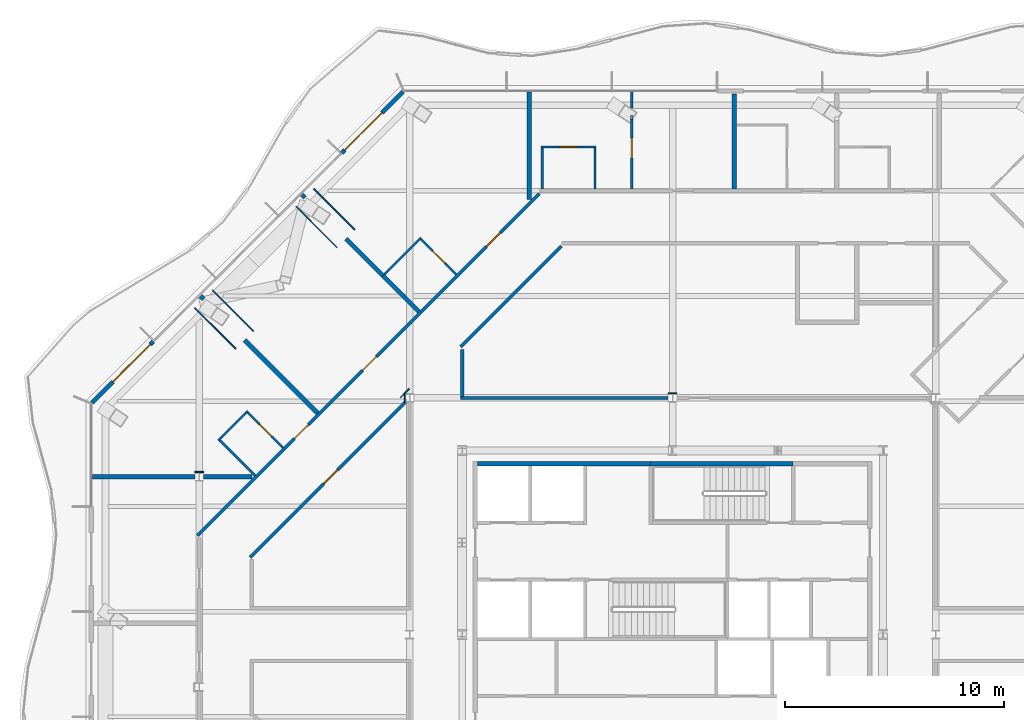
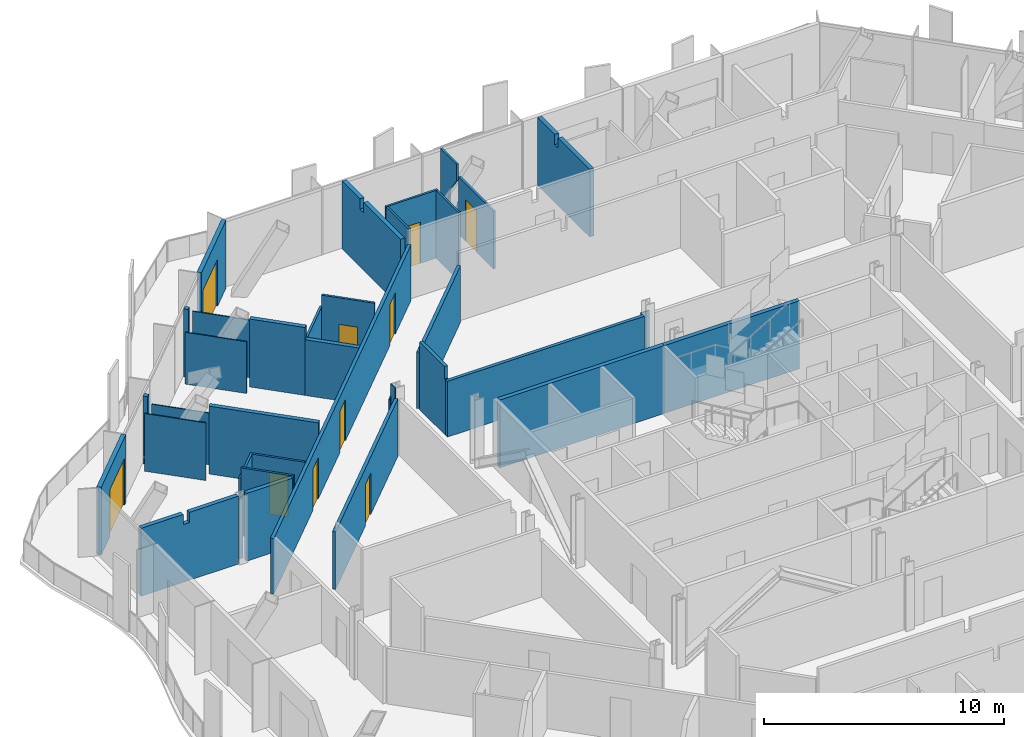
# One storey, part 11 of 21: 36 walls, 10 doors, 10 openings.
"""IFC4 building model written with IfcOpenShell, lengths in metres."""

from ifc_helpers import new_model, si_unit, direction, frame, frame_2d, origin, place, context, subcontext, project, spatial, polyline, rectangle, outline, extrude, material, layer, layer_set, type_object, element, fill, save


model = new_model("IFC4")

# Units and contexts
model_context = context("Model", 3, precision=1e-05, world=origin(), true_north=direction((0.0, 1.0)))
body_context = subcontext(model_context, "Body", "Model", "MODEL_VIEW")
ifc_project = project(units=[si_unit("LENGTHUNIT", "METRE"), si_unit("AREAUNIT", "SQUARE_METRE"), si_unit("VOLUMEUNIT", "CUBIC_METRE"), si_unit("PLANEANGLEUNIT", "RADIAN"), si_unit("MASSUNIT", "GRAM", prefix="KILO")], contexts=[model_context])

# Site, building, storey
site_placement = place(None, origin())
site = spatial("IfcSite", under=ifc_project, at=site_placement, CompositionType="ELEMENT")
building_placement = place(site_placement, origin())
building = spatial("IfcBuilding", under=site, at=building_placement, Name="Cairn Pilgrim Tower", CompositionType="ELEMENT")
storey_placement = place(building_placement, frame((0.0, 0.0, 183.0)))
storey = spatial("IfcBuildingStorey", under=building, at=storey_placement, Name="L46", CompositionType="ELEMENT", Elevation=183.0)

# Wall, opening, door
ifc_material_1 = material(Name="Bronze anodised aluminium insulated sandwich panel with mineral wool fill", Category="aluminium")
ifc_layer_1 = layer(ifc_material_1, 0.199951171875)
ifc_layer_set_1 = layer_set([ifc_layer_1], Name="BRONZE INFILL FRAME WALL 200")
wall_type_1 = type_object("IfcWallType", Name="BRONZE INFILL FRAME WALL 200", PredefinedType="NOTDEFINED", material=ifc_layer_set_1)
wall_1_placement = place(storey_placement, frame((-5.099609375, 27.171630859375, 0.0), z_axis=(0.0, 0.0, 1.0), x_axis=(-0.707137595296, -0.707075965734, 0.0)))
wall_1 = element("IfcWall", 1, at=wall_1_placement, inside=storey, type_object=wall_type_1, Name="Bronze infill frame wall IW-NW1", PredefinedType="NOTDEFINED", context=body_context, shape_type="SweptSolid", body=[
    extrude(rectangle(XDim=3.96142578125, YDim=0.199951171875, at=frame_2d((1.980712890625, 0.0))), origin(), (0.0, 0.0, 1.0), 3.449951171875),
])
opening_1_placement = place(wall_1_placement, frame((1.361572265625, 0.0, 0.0)))
opening_1 = element("IfcOpeningElement", 2, at=opening_1_placement, cuts=wall_1, Name="Opening 4611B", PredefinedType="OPENING", context=body_context, shape_type="SweptSolid", body=[
    extrude(rectangle(XDim=2.39990234375, YDim=2.39990234375, at=frame_2d((1.199951171875, 1.199951171875))), frame((0.0, 0.10986328125, 0.0), z_axis=(0.0, -1.0, 0.0), x_axis=(1.0, 0.0, 0.0)), (0.0, 0.0, 1.0), 0.219970703125),
])
ifc_material_2 = material(Name="Bronze anodised aluminium frame with tinted low-E glass", Category="aluminium")
door_type_1 = type_object("IfcDoorType", Name="BALCONY SLIDING DOOR 2400x2400", OperationType="DOUBLE_DOOR_SLIDING", PredefinedType="DOOR", material=ifc_material_2)
door_1_placement = place(opening_1_placement, origin())
door_1 = element("IfcDoor", 3, at=door_1_placement, inside=storey, type_object=door_type_1, Name="Balcony sliding door 4611B", OperationType="SINGLE_SWING_LEFT", OverallHeight=2.39990234375, OverallWidth=2.39990234375, PredefinedType="DOOR", context=body_context, shape_type="SweptSolid", body=[
    extrude(rectangle(XDim=2.39990234375, YDim=2.39990234375, at=frame_2d((1.199951171875, 1.199951171875))), frame((0.0, 0.02490234375, 0.0), z_axis=(0.0, -1.0, 0.0), x_axis=(1.0, 0.0, 0.0)), (0.0, 0.0, 1.0), 0.050048828125),
])
fill(opening_1, door_1)

wall_2_placement = place(storey_placement, frame((-16.49560546875, 15.77587890625, 0.0), z_axis=(0.0, 0.0, 1.0), x_axis=(-0.707075965734, -0.707137595296, 0.0)))
wall_2 = element("IfcWall", 4, at=wall_2_placement, inside=storey, type_object=wall_type_1, Name="Bronze infill frame wall IW-NW5", PredefinedType="NOTDEFINED", context=body_context, shape_type="SweptSolid", body=[
    extrude(rectangle(XDim=3.96142578125, YDim=0.199951171875, at=frame_2d((1.980712890625, 0.0))), origin(), (0.0, 0.0, 1.0), 3.449951171875),
])
opening_2_placement = place(wall_2_placement, frame((0.199951171875, 0.0, 0.0)))
opening_2 = element("IfcOpeningElement", 5, at=opening_2_placement, cuts=wall_2, Name="Opening 4613B", PredefinedType="OPENING", context=body_context, shape_type="SweptSolid", body=[
    extrude(rectangle(XDim=2.39990234375, YDim=2.39990234375, at=frame_2d((1.199951171875, 1.199951171875))), frame((0.0, 0.10986328125, 0.0), z_axis=(0.0, -1.0, 0.0), x_axis=(1.0, 0.0, 0.0)), (0.0, 0.0, 1.0), 0.219970703125),
])
door_2_placement = place(opening_2_placement, origin())
door_2 = element("IfcDoor", 6, at=door_2_placement, inside=storey, type_object=door_type_1, Name="Balcony sliding door 4613B", OperationType="SINGLE_SWING_LEFT", OverallHeight=2.39990234375, OverallWidth=2.39990234375, PredefinedType="DOOR", context=body_context, shape_type="SweptSolid", body=[
    extrude(rectangle(XDim=2.39990234375, YDim=2.39990234375, at=frame_2d((1.199951171875, 1.199951171875))), frame((0.0, 0.02490234375, 0.0), z_axis=(0.0, -1.0, 0.0), x_axis=(1.0, 0.0, 0.0)), (0.0, 0.0, 1.0), 0.050048828125),
])
fill(opening_2, door_2)

# Walls
ifc_material_3 = material(Name="Concrete C32/40", Category="concrete")
ifc_layer_2 = layer(ifc_material_3, 0.199951171875)
ifc_layer_set_2 = layer_set([ifc_layer_2], Name="CORE OUTER WALL 200 EI 120")
wall_type_2 = type_object("IfcWallType", Name="CORE OUTER WALL 200 EI 120", PredefinedType="SOLIDWALL", material=ifc_layer_set_2)
wall_3_placement = place(storey_placement, frame((-1.699951171875, 10.199951171875, 0.0), z_axis=(0.0, 0.0, 1.0), x_axis=(1.0, 0.0, 0.0)))
element("IfcWall", 7, at=wall_3_placement, inside=storey, type_object=wall_type_2, Name="CW:L46:H12-1", PredefinedType="SOLIDWALL", context=body_context, shape_type="SweptSolid", body=[
    extrude(rectangle(XDim=7.89990234375, YDim=0.199951171875, at=frame_2d((3.949951171875, 0.0))), origin(), (0.0, 0.0, 1.0), 3.449951171875),
])
ifc_material_4 = material(Name="Gypsum partition")
ifc_layer_3 = layer(ifc_material_4, 0.10009765625)
ifc_layer_set_3 = layer_set([ifc_layer_3], Name="PARTITION 100 DRYWALL")
wall_type_3 = type_object("IfcWallType", Name="PARTITION 100 DRYWALL", PredefinedType="PARTITIONING", material=ifc_layer_set_3)
wall_4_placement = place(storey_placement, frame((-11.846923828125, 9.653076171875, 0.0), z_axis=(0.0, 0.0, 1.0), x_axis=(-0.707106781187, 0.707106781187, 0.0)))
element("IfcWall", 8, at=wall_4_placement, inside=storey, type_object=wall_type_3, Name="PARTITION W061", PredefinedType="PARTITIONING", context=body_context, shape_type="SweptSolid", body=[
    extrude(rectangle(XDim=2.27490234375, YDim=0.10009765625, at=frame_2d((1.137451171875, 0.0))), origin(), (0.0, 0.0, 1.0), 3.449951171875),
])

# Wall, opening, door
wall_5_placement = place(storey_placement, frame((-10.573974609375, 10.926025390625, 0.0), z_axis=(0.0, 0.0, 1.0), x_axis=(-0.707106781187, 0.707106781187, 0.0)))
wall_5 = element("IfcWall", 9, at=wall_5_placement, inside=storey, type_object=wall_type_3, Name="PARTITION W065", PredefinedType="PARTITIONING", context=body_context, shape_type="SweptSolid", body=[
    extrude(rectangle(XDim=2.27490234375, YDim=0.10009765625, at=frame_2d((1.137451171875, 0.0))), origin(), (0.0, 0.0, 1.0), 2.929931640625),
])
opening_3_placement = place(wall_5_placement, frame((0.72509765625, 0.0, 0.0)))
opening_3 = element("IfcOpeningElement", 10, at=opening_3_placement, cuts=wall_5, Name="Opening 4613A", PredefinedType="OPENING", context=body_context, shape_type="SweptSolid", body=[
    extrude(rectangle(XDim=0.800048828125, YDim=2.10009765625, at=frame_2d((0.39990234375, 1.050048828125))), frame((0.0, 0.06005859375, 0.0), z_axis=(0.0, -1.0, 0.0), x_axis=(1.0, 0.0, 0.0)), (0.0, 0.0, 1.0), 0.1201171875),
])
ifc_material_5 = material(Name="Timber door leaf", Category="wood")
door_type_2 = type_object("IfcDoorType", Name="WC DOOR 800x2100", OperationType="NOTDEFINED", PredefinedType="DOOR", material=ifc_material_5)
door_3_placement = place(opening_3_placement, frame((0.800048828125, 0.0, 0.0), z_axis=(0.0, 0.0, 1.0), x_axis=(-1.0, 0.0, 0.0)))
door_3 = element("IfcDoor", 11, at=door_3_placement, inside=storey, type_object=door_type_2, Name="DOOR 4613A", OperationType="SINGLE_SWING_LEFT", OverallHeight=2.10009765625, OverallWidth=0.800048828125, PredefinedType="DOOR", context=body_context, shape_type="SweptSolid", body=[
    extrude(rectangle(XDim=0.800048828125, YDim=2.10009765625, at=frame_2d((0.39990234375, 1.050048828125))), frame((0.0, 0.02490234375, 0.0), z_axis=(0.0, -1.0, 0.0), x_axis=(1.0, 0.0, 0.0)), (0.0, 0.0, 1.0), 0.050048828125),
])
fill(opening_3, door_3)

# Walls
wall_6_placement = place(storey_placement, frame((-13.5263671875, 11.26171875, 0.0), z_axis=(0.0, 0.0, 1.0), x_axis=(0.707106781187, 0.707106781187, 0.0)))
element("IfcWall", 12, at=wall_6_placement, inside=storey, type_object=wall_type_3, Name="PARTITION W066", PredefinedType="PARTITIONING", context=body_context, shape_type="SweptSolid", body=[
    extrude(rectangle(XDim=1.900390625, YDim=0.10009765625, at=frame_2d((0.9501953125, 0.0))), origin(), (0.0, 0.0, 1.0), 2.929931640625),
])
wall_7_placement = place(storey_placement, frame((-5.9423828125, 18.845703125, 0.0), z_axis=(0.0, 0.0, 1.0), x_axis=(0.707106781187, 0.707106781187, 0.0)))
element("IfcWall", 13, at=wall_7_placement, inside=storey, type_object=wall_type_3, Name="PARTITION W095", PredefinedType="PARTITIONING", context=body_context, shape_type="SweptSolid", body=[
    extrude(rectangle(XDim=2.349853515625, YDim=0.10009765625, at=frame_2d((1.1748046875, 0.0))), origin(), (0.0, 0.0, 1.0), 2.830078125),
])

# Wall, opening, door
wall_8_placement = place(storey_placement, frame((-2.672119140625, 18.827880859375, 0.0), z_axis=(0.0, 0.0, 1.0), x_axis=(-0.707053116953, 0.707160441348, 0.0)))
wall_8 = element("IfcWall", 14, at=wall_8_placement, inside=storey, type_object=wall_type_3, Name="PARTITION W096", PredefinedType="PARTITIONING", context=body_context, shape_type="SweptSolid", body=[
    extrude(rectangle(XDim=2.27490234375, YDim=0.10009765625, at=frame_2d((1.137451171875, 0.0))), origin(), (0.0, 0.0, 1.0), 3.449951171875),
])
opening_4_placement = place(wall_8_placement, frame((0.72509765625, 0.0, 0.0)))
opening_4 = element("IfcOpeningElement", 15, at=opening_4_placement, cuts=wall_8, Name="Opening 4611A", PredefinedType="OPENING", context=body_context, shape_type="SweptSolid", body=[
    extrude(rectangle(XDim=0.800048828125, YDim=2.10009765625, at=frame_2d((0.39990234375, 1.050048828125))), frame((0.0, 0.06005859375, 0.0), z_axis=(0.0, -1.0, 0.0), x_axis=(1.0, 0.0, 0.0)), (0.0, 0.0, 1.0), 0.1201171875),
])
door_4_placement = place(opening_4_placement, frame((0.800048828125, 0.0, 0.0), z_axis=(0.0, 0.0, 1.0), x_axis=(-1.0, 0.0, 0.0)))
door_4 = element("IfcDoor", 16, at=door_4_placement, inside=storey, type_object=door_type_2, Name="DOOR 4611A", OperationType="SINGLE_SWING_LEFT", OverallHeight=2.10009765625, OverallWidth=0.800048828125, PredefinedType="DOOR", context=body_context, shape_type="SweptSolid", body=[
    extrude(rectangle(XDim=0.800048828125, YDim=2.10009765625, at=frame_2d((0.39990234375, 1.050048828125))), frame((0.0, 0.02490234375, 0.0), z_axis=(0.0, -1.0, 0.0), x_axis=(1.0, 0.0, 0.0)), (0.0, 0.0, 1.0), 0.050048828125),
])
fill(opening_4, door_4)

# Walls
for number, where, z_axis, x_axis, name in (
    (17, (1.256103515625, 22.72509765625, 0.0), (0.0, 0.0, 1.0), (0.0, 1.0, 0.0), "PARTITION W102"),
    (18, (3.656005859375, 22.72509765625, 0.0), (0.0, 0.0, 1.0), (0.0, 1.0, 0.0), "PARTITION W103"),
):
    element("IfcWall", number, at=place(storey_placement, frame(where, z_axis=z_axis, x_axis=x_axis)), inside=storey, type_object=wall_type_3, Name=name, PredefinedType="PARTITIONING", context=body_context, shape_type="SweptSolid", body=[
        extrude(rectangle(XDim=1.875, YDim=0.10009765625, at=frame_2d((0.9375, 0.0))), origin(), (0.0, 0.0, 1.0), 3.449951171875),
    ])

# Wall, opening, door
wall_9_placement = place(storey_placement, frame((5.3369140625, 22.72509765625, 0.0), z_axis=(0.0, 0.0, 1.0), x_axis=(0.0, 1.0, 0.0)))
wall_9 = element("IfcWall", 19, at=wall_9_placement, inside=storey, type_object=wall_type_3, Name="PARTITION W104", PredefinedType="PARTITIONING", context=body_context, shape_type="SweptSolid", body=[
    extrude(outline(polyline([(0.0, 0.0), (3.360595703125, 0.0), (3.360595703125, 0.862548828125), (2.906005859375, 1.72509765625), (2.906005859375, 2.58740234375), (2.906005859375, 2.929931640625), (0.0, 2.929931640625), (0.0, 2.58740234375), (0.0, 1.72509765625), (0.0, 0.862548828125), (0.0, 0.0)])), frame((0.0, 0.050048828125, 0.0), z_axis=(0.0, -1.0, 0.0), x_axis=(1.0, 0.0, 0.0)), (0.0, 0.0, 1.0), 0.10009765625),
])
opening_5_placement = place(wall_9_placement, frame((1.425048828125, 0.0, 0.0)))
opening_5 = element("IfcOpeningElement", 20, at=opening_5_placement, cuts=wall_9, Name="Opening 4610C", PredefinedType="OPENING", context=body_context, shape_type="SweptSolid", body=[
    extrude(rectangle(XDim=0.89990234375, YDim=2.10009765625, at=frame_2d((0.449951171875, 1.050048828125))), frame((0.0, 0.06005859375, 0.0), z_axis=(0.0, -1.0, 0.0), x_axis=(1.0, 0.0, 0.0)), (0.0, 0.0, 1.0), 0.1201171875),
])
door_type_3 = type_object("IfcDoorType", Name="SERVICE DOOR 900x2100", OperationType="NOTDEFINED", PredefinedType="DOOR", material=ifc_material_5)
door_5_placement = place(opening_5_placement, frame((0.89990234375, 0.0, 0.0), z_axis=(0.0, 0.0, 1.0), x_axis=(-1.0, 0.0, 0.0)))
door_5 = element("IfcDoor", 21, at=door_5_placement, inside=storey, type_object=door_type_3, Name="DOOR 4610C", OperationType="SINGLE_SWING_LEFT", OverallHeight=2.10009765625, OverallWidth=0.89990234375, PredefinedType="DOOR", context=body_context, shape_type="SweptSolid", body=[
    extrude(rectangle(XDim=0.89990234375, YDim=2.10009765625, at=frame_2d((0.449951171875, 1.050048828125))), frame((0.0, 0.02490234375, 0.0), z_axis=(0.0, -1.0, 0.0), x_axis=(1.0, 0.0, 0.0)), (0.0, 0.0, 1.0), 0.050048828125),
])
fill(opening_5, door_5)

wall_10_placement = place(storey_placement, frame((1.2060546875, 24.64990234375, 0.0), z_axis=(0.0, 0.0, 1.0), x_axis=(1.0, 0.0, 0.0)))
wall_10 = element("IfcWall", 22, at=wall_10_placement, inside=storey, type_object=wall_type_3, Name="PARTITION W112", PredefinedType="PARTITIONING", context=body_context, shape_type="SweptSolid", body=[
    extrude(rectangle(XDim=2.5, YDim=0.10009765625, at=frame_2d((1.25, 0.0))), origin(), (0.0, 0.0, 1.0), 3.449951171875),
])
opening_6_placement = place(wall_10_placement, frame((0.85009765625, 0.0, 0.0)))
opening_6 = element("IfcOpeningElement", 23, at=opening_6_placement, cuts=wall_10, Name="Opening 4610A", PredefinedType="OPENING", context=body_context, shape_type="SweptSolid", body=[
    extrude(rectangle(XDim=0.800048828125, YDim=2.10009765625, at=frame_2d((0.39990234375, 1.050048828125))), frame((0.0, 0.06005859375, 0.0), z_axis=(0.0, -1.0, 0.0), x_axis=(1.0, 0.0, 0.0)), (0.0, 0.0, 1.0), 0.1201171875),
])
door_6_placement = place(opening_6_placement, origin())
door_6 = element("IfcDoor", 24, at=door_6_placement, inside=storey, type_object=door_type_2, Name="DOOR 4610A", OperationType="SINGLE_SWING_LEFT", OverallHeight=2.10009765625, OverallWidth=0.800048828125, PredefinedType="DOOR", context=body_context, shape_type="SweptSolid", body=[
    extrude(rectangle(XDim=0.800048828125, YDim=2.10009765625, at=frame_2d((0.39990234375, 1.050048828125))), frame((0.0, 0.02490234375, 0.0), z_axis=(0.0, -1.0, 0.0), x_axis=(1.0, 0.0, 0.0)), (0.0, 0.0, 1.0), 0.050048828125),
])
fill(opening_6, door_6)

# Wall
wall_11_placement = place(storey_placement, frame((5.3369140625, 25.82275390625, 0.0), z_axis=(0.0, 0.0, 1.0), x_axis=(0.0, 1.0, 0.0)))
element("IfcWall", 25, at=wall_11_placement, inside=storey, type_object=wall_type_3, Name="PARTITION W115", PredefinedType="PARTITIONING", context=body_context, shape_type="SweptSolid", body=[
    extrude(outline(polyline([(0.59619140625, 0.0), (1.330322265625, 0.0), (1.330322265625, 0.862548828125), (1.330322265625, 1.72509765625), (1.330322265625, 2.58740234375), (1.330322265625, 3.449951171875), (0.0, 3.449951171875), (0.0, 2.58740234375), (0.59619140625, 1.72509765625), (0.59619140625, 0.862548828125), (0.59619140625, 0.0)])), frame((0.0, 0.050048828125, 0.0), z_axis=(0.0, -1.0, 0.0), x_axis=(1.0, 0.0, 0.0)), (0.0, 0.0, 1.0), 0.10009765625),
])

# Wall, opening, door
ifc_layer_4 = layer(ifc_material_4, 0.14990234375)
ifc_layer_set_4 = layer_set([ifc_layer_4], Name="PARTITION 150 DRYWALL EI 60")
wall_type_4 = type_object("IfcWallType", Name="PARTITION 150 DRYWALL EI 60", PredefinedType="PARTITIONING", material=ifc_layer_set_4)
wall_12_placement = place(storey_placement, frame((-12.074951171875, 5.925048828125, 0.0), z_axis=(0.0, 0.0, 1.0), x_axis=(0.707106781187, 0.707106781187, 0.0)))
wall_12 = element("IfcWall", 26, at=wall_12_placement, inside=storey, type_object=wall_type_4, Name="PARTITION W057", PredefinedType="PARTITIONING", context=body_context, shape_type="SweptSolid", body=[
    extrude(rectangle(XDim=10.00830078125, YDim=0.14990234375, at=frame_2d((5.004150390625, 0.0))), origin(), (0.0, 0.0, 1.0), 2.929931640625),
])
opening_7_placement = place(wall_12_placement, frame((4.747314453125, 0.0, 0.0)))
opening_7 = element("IfcOpeningElement", 27, at=opening_7_placement, cuts=wall_12, Name="Opening 4625", PredefinedType="OPENING", context=body_context, shape_type="SweptSolid", body=[
    extrude(rectangle(XDim=0.89990234375, YDim=2.10009765625, at=frame_2d((0.449951171875, 1.050048828125))), frame((0.0, 0.0849609375, 0.0), z_axis=(0.0, -1.0, 0.0), x_axis=(1.0, 0.0, 0.0)), (0.0, 0.0, 1.0), 0.169921875),
])
door_type_4 = type_object("IfcDoorType", Name="SERVICE DOOR 900x2100 FD30S", OperationType="NOTDEFINED", PredefinedType="DOOR", material=ifc_material_5)
door_7_placement = place(opening_7_placement, frame((0.89990234375, 0.0, 0.0), z_axis=(0.0, 0.0, 1.0), x_axis=(-1.0, 0.0, 0.0)))
door_7 = element("IfcDoor", 28, at=door_7_placement, inside=storey, type_object=door_type_4, Name="DOOR 4625", OperationType="SINGLE_SWING_RIGHT", OverallHeight=2.10009765625, OverallWidth=0.89990234375, PredefinedType="DOOR", context=body_context, shape_type="SweptSolid", body=[
    extrude(rectangle(XDim=0.89990234375, YDim=2.10009765625, at=frame_2d((0.449951171875, 1.050048828125))), frame((0.0, 0.02490234375, 0.0), z_axis=(0.0, -1.0, 0.0), x_axis=(1.0, 0.0, 0.0)), (0.0, 0.0, 1.0), 0.050048828125),
])
fill(opening_7, door_7)

# Wall, openings, doors
wall_13_placement = place(storey_placement, frame((-14.47509765625, 6.9189453125, 0.0), z_axis=(0.0, 0.0, 1.0), x_axis=(0.707106781187, 0.707106781187, 0.0)))
wall_13 = element("IfcWall", 29, at=wall_13_placement, inside=storey, type_object=wall_type_4, Name="PARTITION W058", PredefinedType="PARTITIONING", context=body_context, shape_type="SweptSolid", body=[
    extrude(rectangle(XDim=22.06591796875, YDim=0.14990234375, at=frame_2d((11.032958984375, 0.0))), origin(), (0.0, 0.0, 1.0), 2.830078125),
])
opening_8_placement = place(wall_13_placement, frame((18.635986328125, 0.0, 0.0)))
opening_8 = element("IfcOpeningElement", 30, at=opening_8_placement, cuts=wall_13, Name="Opening 4611", PredefinedType="OPENING", context=body_context, shape_type="SweptSolid", body=[
    extrude(rectangle(XDim=0.89990234375, YDim=2.10009765625, at=frame_2d((0.449951171875, 1.050048828125))), frame((0.0, 0.0849609375, 0.0), z_axis=(0.0, -1.0, 0.0), x_axis=(1.0, 0.0, 0.0)), (0.0, 0.0, 1.0), 0.169921875),
])
opening_9_placement = place(wall_13_placement, frame((10.647705078125, 0.0, 0.0)))
opening_9 = element("IfcOpeningElement", 31, at=opening_9_placement, cuts=wall_13, Name="Opening 4612", PredefinedType="OPENING", context=body_context, shape_type="SweptSolid", body=[
    extrude(rectangle(XDim=0.89990234375, YDim=2.10009765625, at=frame_2d((0.449951171875, 1.050048828125))), frame((0.0, 0.0849609375, 0.0), z_axis=(0.0, -1.0, 0.0), x_axis=(1.0, 0.0, 0.0)), (0.0, 0.0, 1.0), 0.169921875),
])
opening_10_placement = place(wall_13_placement, frame((6.259765625, 0.0, 0.0)))
opening_10 = element("IfcOpeningElement", 32, at=opening_10_placement, cuts=wall_13, Name="Opening 4613", PredefinedType="OPENING", context=body_context, shape_type="SweptSolid", body=[
    extrude(rectangle(XDim=0.89990234375, YDim=2.10009765625, at=frame_2d((0.449951171875, 1.050048828125))), frame((0.0, 0.0849609375, 0.0), z_axis=(0.0, -1.0, 0.0), x_axis=(1.0, 0.0, 0.0)), (0.0, 0.0, 1.0), 0.169921875),
])
door_type_5 = type_object("IfcDoorType", Name="ROOM DOOR 900x2100 FD30S", OperationType="NOTDEFINED", PredefinedType="DOOR", material=ifc_material_5)
door_8_placement = place(opening_8_placement, origin())
door_8 = element("IfcDoor", 33, at=door_8_placement, inside=storey, type_object=door_type_5, Name="DOOR 4611", OperationType="SINGLE_SWING_LEFT", OverallHeight=2.10009765625, OverallWidth=0.89990234375, PredefinedType="DOOR", context=body_context, shape_type="SweptSolid", body=[
    extrude(rectangle(XDim=0.89990234375, YDim=2.10009765625, at=frame_2d((0.449951171875, 1.050048828125))), frame((0.0, 0.02490234375, 0.0), z_axis=(0.0, -1.0, 0.0), x_axis=(1.0, 0.0, 0.0)), (0.0, 0.0, 1.0), 0.050048828125),
])
fill(opening_8, door_8)
door_9_placement = place(opening_10_placement, origin())
door_9 = element("IfcDoor", 34, at=door_9_placement, inside=storey, type_object=door_type_5, Name="DOOR 4613", OperationType="SINGLE_SWING_LEFT", OverallHeight=2.10009765625, OverallWidth=0.89990234375, PredefinedType="DOOR", context=body_context, shape_type="SweptSolid", body=[
    extrude(rectangle(XDim=0.89990234375, YDim=2.10009765625, at=frame_2d((0.449951171875, 1.050048828125))), frame((0.0, 0.02490234375, 0.0), z_axis=(0.0, -1.0, 0.0), x_axis=(1.0, 0.0, 0.0)), (0.0, 0.0, 1.0), 0.050048828125),
])
fill(opening_10, door_9)
door_10_placement = place(opening_9_placement, origin())
door_10 = element("IfcDoor", 35, at=door_10_placement, inside=storey, type_object=door_type_4, Name="DOOR 4612", OperationType="SINGLE_SWING_LEFT", OverallHeight=2.10009765625, OverallWidth=0.89990234375, PredefinedType="DOOR", context=body_context, shape_type="SweptSolid", body=[
    extrude(rectangle(XDim=0.89990234375, YDim=2.10009765625, at=frame_2d((0.449951171875, 1.050048828125))), frame((0.0, 0.02490234375, 0.0), z_axis=(0.0, -1.0, 0.0), x_axis=(1.0, 0.0, 0.0)), (0.0, 0.0, 1.0), 0.050048828125),
])
fill(opening_9, door_10)

# Walls
wall_14_placement = place(storey_placement, frame((-2.47509765625, 13.199951171875, 0.0), z_axis=(0.0, 0.0, 1.0), x_axis=(1.0, 0.0, 0.0)))
element("IfcWall", 36, at=wall_14_placement, inside=storey, type_object=wall_type_4, Name="PARTITION W072", PredefinedType="PARTITIONING", context=body_context, shape_type="SweptSolid", body=[
    extrude(rectangle(XDim=9.4755859375, YDim=0.14990234375, at=frame_2d((4.73779296875, 0.0))), origin(), (0.0, 0.0, 1.0), 2.830078125),
])
wall_15_placement = place(storey_placement, frame((-2.39990234375, 13.27490234375, 0.0), z_axis=(0.0, 0.0, 1.0), x_axis=(0.0, 1.0, 0.0)))
element("IfcWall", 37, at=wall_15_placement, inside=storey, type_object=wall_type_4, Name="PARTITION W076", PredefinedType="PARTITIONING", context=body_context, shape_type="SweptSolid", body=[
    extrude(outline(polyline([(0.0, 0.0), (2.14404296875, 0.0), (2.143798828125, 3.449951171875), (0.074951171875, 3.449951171875), (0.072998046875, 2.830078125), (0.0, 2.830078125), (0.0, 0.0)])), frame((0.0, 0.074951171875, 0.0), z_axis=(0.0, -1.0, 0.0), x_axis=(1.0, 0.0, 0.0)), (0.0, 0.0, 1.0), 0.14990234375),
])
wall_16_placement = place(storey_placement, frame((-2.47509765625, 15.52490234375, 0.0), z_axis=(0.0, 0.0, 1.0), x_axis=(0.707106781187, 0.707106781187, 0.0)))
element("IfcWall", 38, at=wall_16_placement, inside=storey, type_object=wall_type_4, Name="PARTITION W083", PredefinedType="PARTITIONING", context=body_context, shape_type="SweptSolid", body=[
    extrude(rectangle(XDim=6.50146484375, YDim=0.14990234375, at=frame_2d((3.250732421875, 0.0))), origin(), (0.0, 0.0, 1.0), 2.8798828125),
])
ifc_layer_5 = layer(ifc_material_4, 0.050048828125)
ifc_layer_set_5 = layer_set([ifc_layer_5], Name="PARTITION 50 DRYWALL EI 60")
wall_type_5 = type_object("IfcWallType", Name="PARTITION 50 DRYWALL EI 60", PredefinedType="PARTITIONING", material=ifc_layer_set_5)
wall_17_placement = place(storey_placement, frame((-5.0244140625, 13.00341796875, 0.0), z_axis=(0.0, 0.0, 1.0), x_axis=(0.0, 1.0, 0.0)))
element("IfcWall", 39, at=wall_17_placement, inside=storey, type_object=wall_type_5, Name="COLUMN CASING WC17", PredefinedType="PARTITIONING", context=body_context, shape_type="SweptSolid", body=[
    extrude(rectangle(XDim=0.39306640625, YDim=0.050048828125, at=frame_2d((0.196533203125, 0.0))), origin(), (0.0, 0.0, 1.0), 3.449951171875),
])
wall_18_placement = place(storey_placement, frame((-5.213623046875, 13.2177734375, 0.0), z_axis=(0.0, 0.0, 1.0), x_axis=(0.707106781187, 0.707106781187, 0.0)))
element("IfcWall", 40, at=wall_18_placement, inside=storey, type_object=wall_type_5, Name="COLUMN CASING WC19", PredefinedType="PARTITIONING", context=body_context, shape_type="SweptSolid", body=[
    extrude(rectangle(XDim=0.56005859375, YDim=0.050048828125, at=frame_2d((0.280029296875, 0.0))), origin(), (0.0, 0.0, 1.0), 2.830078125),
])
wall_19_placement = place(storey_placement, frame((-14.599609375, 9.821533203125, 0.0), z_axis=(0.0, 0.0, 1.0), x_axis=(1.0, 0.0, 0.0)))
element("IfcWall", 41, at=wall_19_placement, inside=storey, type_object=wall_type_5, Name="COLUMN CASING WC20", PredefinedType="PARTITIONING", context=body_context, shape_type="SweptSolid", body=[
    extrude(rectangle(XDim=0.399169921875, YDim=0.050048828125, at=frame_2d((0.19970703125, 0.0))), origin(), (0.0, 0.0, 1.0), 3.030029296875),
])
wall_20_placement = place(storey_placement, frame((-12.734130859375, 15.439697265625, 0.0), z_axis=(0.0, 0.0, 1.0), x_axis=(-0.707153041157, 0.707060518189, 0.0)))
element("IfcWall", 42, at=wall_20_placement, inside=storey, type_object=wall_type_5, Name="COLUMN CASING WC22", PredefinedType="PARTITIONING", context=body_context, shape_type="SweptSolid", body=[
    extrude(rectangle(XDim=2.638671875, YDim=0.050048828125, at=frame_2d((1.3193359375, 0.0))), origin(), (0.0, 0.0, 1.0), 2.929931640625),
])
wall_21_placement = place(storey_placement, frame((-11.926513671875, 16.24755859375, 0.0), z_axis=(0.0, 0.0, 1.0), x_axis=(-0.707106781187, 0.707106781187, 0.0)))
element("IfcWall", 43, at=wall_21_placement, inside=storey, type_object=wall_type_5, Name="COLUMN CASING WC23", PredefinedType="PARTITIONING", context=body_context, shape_type="SweptSolid", body=[
    extrude(rectangle(XDim=2.638427734375, YDim=0.050048828125, at=frame_2d((1.3193359375, 0.0))), origin(), (0.0, 0.0, 1.0), 2.6298828125),
])
wall_22_placement = place(storey_placement, frame((7.00048828125, 13.42138671875, 0.0), z_axis=(0.0, 0.0, 1.0), x_axis=(1.0, 0.0, 0.0)))
element("IfcWall", 44, at=wall_22_placement, inside=storey, type_object=wall_type_5, Name="COLUMN CASING WC24", PredefinedType="PARTITIONING", context=body_context, shape_type="SweptSolid", body=[
    extrude(rectangle(XDim=0.39892578125, YDim=0.050048828125, at=frame_2d((0.199462890625, 0.0))), origin(), (0.0, 0.0, 1.0), 2.830078125),
])
wall_23_placement = place(storey_placement, frame((-8.10986328125, 20.064208984375, 0.0), z_axis=(0.0, 0.0, 1.0), x_axis=(-0.707199304153, 0.707014246112, 0.0)))
element("IfcWall", 45, at=wall_23_placement, inside=storey, type_object=wall_type_5, Name="COLUMN CASING WC30", PredefinedType="PARTITIONING", context=body_context, shape_type="SweptSolid", body=[
    extrude(rectangle(XDim=2.638427734375, YDim=0.050048828125, at=frame_2d((1.3193359375, 0.0))), origin(), (0.0, 0.0, 1.0), 2.6298828125),
])
wall_24_placement = place(storey_placement, frame((-7.30224609375, 20.871826171875, 0.0), z_axis=(0.0, 0.0, 1.0), x_axis=(-0.707199304153, 0.707014246112, 0.0)))
element("IfcWall", 46, at=wall_24_placement, inside=storey, type_object=wall_type_5, Name="COLUMN CASING WC31", PredefinedType="PARTITIONING", context=body_context, shape_type="SweptSolid", body=[
    extrude(rectangle(XDim=2.638427734375, YDim=0.050048828125, at=frame_2d((1.3193359375, 0.0))), origin(), (0.0, 0.0, 1.0), 2.929931640625),
])
ifc_layer_6 = layer(ifc_material_4, 0.199951171875)
ifc_layer_set_6 = layer_set([ifc_layer_6], Name="SHAFT WALL 200 GYPSUM EI 60")
wall_type_6 = type_object("IfcWallType", Name="SHAFT WALL 200 GYPSUM EI 60", PredefinedType="PARTITIONING", material=ifc_layer_set_6)
wall_25_placement = place(storey_placement, frame((-19.278076171875, 9.60009765625, 0.0), z_axis=(0.0, 0.0, 1.0), x_axis=(1.0, 0.0, 0.0)))
element("IfcWall", 47, at=wall_25_placement, inside=storey, type_object=wall_type_6, Name="PARTITION W059", PredefinedType="PARTITIONING", context=body_context, shape_type="SweptSolid", body=[
    extrude(outline(polyline([(0.0, 0.0), (4.678466796875, 0.0), (4.678466796875, 3.449951171875), (2.327880859375, 3.449951171875), (2.325927734375, 2.929931640625), (2.028076171875, 2.929931640625), (2.02587890625, 3.449951171875), (0.0, 3.449951171875), (0.0, 0.0)])), frame((0.0, 0.10009765625, 0.0), z_axis=(0.0, -1.0, 0.0), x_axis=(1.0, 0.0, 0.0)), (0.0, 0.0, 1.0), 0.199951171875),
])
wall_26_placement = place(storey_placement, frame((-14.200439453125, 9.60009765625, 0.0), z_axis=(0.0, 0.0, 1.0), x_axis=(1.0, 0.0, 0.0)))
element("IfcWall", 48, at=wall_26_placement, inside=storey, type_object=wall_type_6, Name="PARTITION W060", PredefinedType="PARTITIONING", context=body_context, shape_type="SweptSolid", body=[
    extrude(rectangle(XDim=2.200439453125, YDim=0.199951171875, at=frame_2d((1.10009765625, 0.0))), origin(), (0.0, 0.0, 1.0), 3.449951171875),
])
wall_27_placement = place(storey_placement, frame((-8.992919921875, 12.507080078125, 0.0), z_axis=(0.0, 0.0, 1.0), x_axis=(-0.707184375799, 0.707029178058, 0.0)))
element("IfcWall", 49, at=wall_27_placement, inside=storey, type_object=wall_type_6, Name="PARTITION W070", PredefinedType="PARTITIONING", context=body_context, shape_type="SweptSolid", body=[
    extrude(rectangle(XDim=4.71923828125, YDim=0.199951171875, at=frame_2d((2.359619140625, 0.0))), origin(), (0.0, 0.0, 1.0), 3.449951171875),
])
wall_28_placement = place(storey_placement, frame((-4.368896484375, 17.131103515625, 0.0), z_axis=(0.0, 0.0, 1.0), x_axis=(-0.707159285867, 0.707054272608, 0.0)))
element("IfcWall", 50, at=wall_28_placement, inside=storey, type_object=wall_type_6, Name="PARTITION W088", PredefinedType="PARTITIONING", context=body_context, shape_type="SweptSolid", body=[
    extrude(rectangle(XDim=2.324951171875, YDim=0.199951171875, at=frame_2d((1.16259765625, 0.0))), origin(), (0.0, 0.0, 1.0), 2.830078125),
])
wall_29_placement = place(storey_placement, frame((-14.1962890625, 17.709228515625, 0.0), z_axis=(0.0, 0.0, 1.0), x_axis=(-0.707106781187, 0.707106781187, 0.0)))
element("IfcWall", 51, at=wall_29_placement, inside=storey, type_object=wall_type_6, Name="PARTITION W090", PredefinedType="PARTITIONING", context=body_context, shape_type="SweptSolid", body=[
    extrude(rectangle(XDim=0.198974609375, YDim=0.199951171875, at=frame_2d((0.099609375, 0.0))), origin(), (0.0, 0.0, 1.0), 3.449951171875),
])
wall_30_placement = place(storey_placement, frame((-6.012939453125, 18.77490234375, 0.0), z_axis=(0.0, 0.0, 1.0), x_axis=(-0.707208735879, 0.707004811791, 0.0)))
element("IfcWall", 52, at=wall_30_placement, inside=storey, type_object=wall_type_6, Name="PARTITION W094", PredefinedType="PARTITIONING", context=body_context, shape_type="SweptSolid", body=[
    extrude(rectangle(XDim=2.39453125, YDim=0.199951171875, at=frame_2d((1.197265625, 0.0))), origin(), (0.0, 0.0, 1.0), 3.449951171875),
])
wall_31_placement = place(storey_placement, frame((-9.572265625, 22.333251953125, 0.0), z_axis=(0.0, 0.0, 1.0), x_axis=(-0.707106781187, 0.707106781187, 0.0)))
element("IfcWall", 53, at=wall_31_placement, inside=storey, type_object=wall_type_6, Name="PARTITION W099", PredefinedType="PARTITIONING", context=body_context, shape_type="SweptSolid", body=[
    extrude(rectangle(XDim=0.198974609375, YDim=0.199951171875, at=frame_2d((0.099609375, 0.0))), origin(), (0.0, 0.0, 1.0), 3.449951171875),
])
wall_32_placement = place(storey_placement, frame((0.660888671875, 22.260986328125, 0.0), z_axis=(0.0, 0.0, 1.0), x_axis=(0.0, 1.0, 0.0)))
element("IfcWall", 54, at=wall_32_placement, inside=storey, type_object=wall_type_6, Name="PARTITION W100", PredefinedType="PARTITIONING", context=body_context, shape_type="SweptSolid", body=[
    extrude(outline(polyline([(0.0, 0.0), (4.89208984375, 0.0), (4.891845703125, 3.449951171875), (3.388916015625, 3.449951171875), (3.386962890625, 2.929931640625), (3.0888671875, 2.929931640625), (3.0869140625, 3.449951171875), (0.0, 3.449951171875), (0.0, 0.0)])), frame((0.0, 0.10009765625, 0.0), z_axis=(0.0, -1.0, 0.0), x_axis=(1.0, 0.0, 0.0)), (0.0, 0.0, 1.0), 0.199951171875),
])
wall_33_placement = place(storey_placement, frame((10.011962890625, 22.72509765625, 0.0), z_axis=(0.0, 0.0, 1.0), x_axis=(0.0, 1.0, 0.0)))
element("IfcWall", 55, at=wall_33_placement, inside=storey, type_object=wall_type_6, Name="PARTITION W105", PredefinedType="PARTITIONING", context=body_context, shape_type="SweptSolid", body=[
    extrude(outline(polyline([(0.0, 0.0), (4.344970703125, 0.0), (4.344970703125, 3.449951171875), (2.925048828125, 3.449951171875), (2.923095703125, 2.929931640625), (2.625, 2.929931640625), (2.623046875, 3.449951171875), (0.0, 3.449951171875), (0.0, 0.0)])), frame((0.0, 0.10009765625, 0.0), z_axis=(0.0, -1.0, 0.0), x_axis=(1.0, 0.0, 0.0)), (0.0, 0.0, 1.0), 0.199951171875),
])
ifc_material_6 = material(Name="Concrete C35/45", Category="concrete")
ifc_layer_7 = layer(ifc_material_6, 0.199951171875)
ifc_layer_set_7 = layer_set([ifc_layer_7], Name="STAIR SHAFT WALL 200 EI 120")
wall_type_7 = type_object("IfcWallType", Name="STAIR SHAFT WALL 200 EI 120", PredefinedType="SOLIDWALL", material=ifc_layer_set_7)
wall_34_placement = place(storey_placement, frame((6.199951171875, 10.199951171875, 0.0), z_axis=(0.0, 0.0, 1.0), x_axis=(1.0, 0.0, 0.0)))
element("IfcWall", 56, at=wall_34_placement, inside=storey, type_object=wall_type_7, Name="CW:L46:H12-2", PredefinedType="SOLIDWALL", context=body_context, shape_type="SweptSolid", body=[
    extrude(rectangle(XDim=6.5, YDim=0.199951171875, at=frame_2d((3.25, 0.0))), origin(), (0.0, 0.0, 1.0), 3.449951171875),
])

save(model, "model.ifc")
